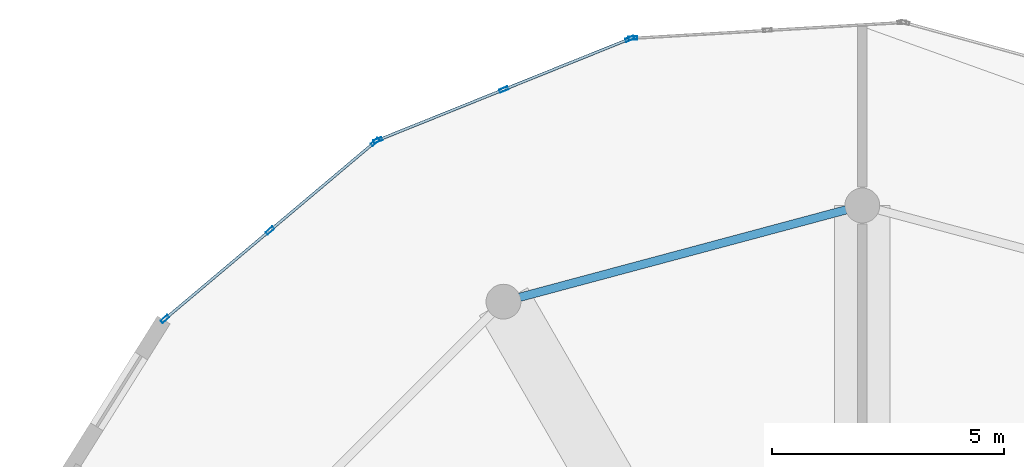
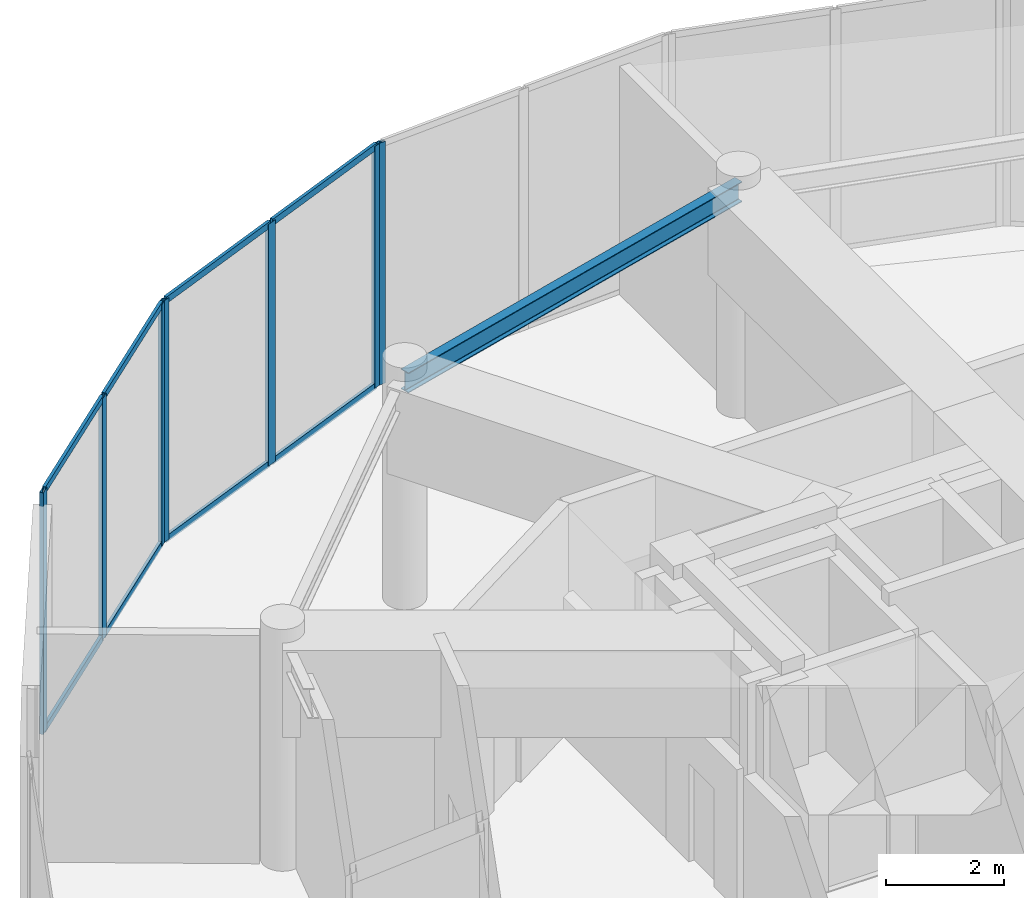
# One storey, part 14 of 20: 15 members, 1 beam, 3 elements without a shape of their own.
"""IFC4 building model written with IfcOpenShell, lengths in metres."""

from ifc_helpers import new_model, si_unit, direction, frame, origin, origin_2d, place, context, subcontext, project, spatial, hollow_rectangle, i_section, extrude, source, transform, mapped, material, layer, layer_set, material_profile, profile_set, type_object, element, aggregate, save


model = new_model("IFC4")

# Units and contexts
model_context = context("Model", 3, precision=1e-05, world=origin(), true_north=direction((0.0, 1.0)))
body_context = subcontext(model_context, "Body", "Model", "MODEL_VIEW")
ifc_project = project(units=[si_unit("LENGTHUNIT", "METRE"), si_unit("AREAUNIT", "SQUARE_METRE"), si_unit("VOLUMEUNIT", "CUBIC_METRE"), si_unit("PLANEANGLEUNIT", "RADIAN"), si_unit("MASSUNIT", "GRAM", prefix="KILO")], contexts=[model_context])

# Site, building, storey
site_placement = place(None, origin())
site = spatial("IfcSite", under=ifc_project, at=site_placement, CompositionType="ELEMENT")
building_placement = place(site_placement, origin())
building = spatial("IfcBuilding", under=site, at=building_placement, Name="Solvirekh Grand Hotel", CompositionType="ELEMENT")
storey_placement = place(building_placement, frame((0.0, 0.0, 297.199951171875)))
storey = spatial("IfcBuildingStorey", under=building, at=storey_placement, Name="L77", CompositionType="ELEMENT", Elevation=297.199951171875)

# Beam
ifc_material_1 = material(Name="Steel S355", Category="steel")
ifc_material_profile_1 = material_profile(ifc_material_1, i_section(OverallWidth=0.180908203125, OverallDepth=0.4169921875, WebThickness=0.010009765625, FlangeThickness=0.01611328125, FilletRadius=0.011962890625, at=origin_2d()), Name="W410X85")
ifc_profile_set_1 = profile_set([ifc_material_profile_1], Name="Steel S355")
beam_type = type_object("IfcBeamType", Name="Spandrel_Ring_W410", PredefinedType="SPANDREL", material=ifc_profile_set_1)
beam_placement = place(storey_placement, frame((0.0, 15.449951171875, 4.470947265625), z_axis=(-0.965921616143, -0.258834757072, 0.0), x_axis=(0.258834757072, -0.965921616143, 0.0)))
element("IfcBeam", 1, at=beam_placement, inside=storey, type_object=beam_type, Name="L77 perimeter spandrel beam 4", PredefinedType="SPANDREL", context=body_context, shape_type="SweptSolid", body=[
    extrude(i_section(OverallWidth=0.180908203125, OverallDepth=0.4169921875, WebThickness=0.010009765625, FlangeThickness=0.01611328125, FilletRadius=0.011962890625, at=origin_2d()), origin(), (0.0, 0.0, 1.0), 7.99755859375),
])

# Curtain wall, member
ifc_material_2 = material(Name="Anodized Bronze Aluminium 6063-T6", Category="aluminium")
ifc_layer = layer(ifc_material_2, 0.18994140625)
ifc_layer_set = layer_set([ifc_layer], Name="Anodized Bronze Aluminium 6063-T6")
curtain_wall_type = type_object("IfcCurtainWallType", Name="CW_Sys5_SkyLobbyPanoramaCW", PredefinedType="NOTDEFINED", material=ifc_layer_set)
curtain_wall_1_placement = place(storey_placement, origin())
curtain_wall_1 = element("IfcCurtainWall", 2, at=curtain_wall_1_placement, inside=storey, type_object=curtain_wall_type, Name="L77 unitised bronze-glass curtain wall CW-L77-C11", PredefinedType="NOTDEFINED")
ifc_material_profile_2 = material_profile(ifc_material_2, hollow_rectangle(XDim=0.070068359375, YDim=0.18994140625, WallThickness=0.0048828125, at=origin_2d()), Name="ALU RHS 190X70X5")
ifc_profile_set_2 = profile_set([ifc_material_profile_2], Name="Anodized Bronze Aluminium 6063-T6")
member_type_1 = type_object("IfcMemberType", Name="CWMullion_Sys5", PredefinedType="MULLION", material=ifc_profile_set_2)
shared_shape_1 = source(origin(), body_context, "Body", "SweptSolid", [
    extrude(hollow_rectangle(XDim=0.070068359375, YDim=0.18994140625, WallThickness=0.0048828125, at=origin_2d()), origin(), (0.0, 0.0, 1.0), 5.0),
])
member_1_placement = place(storey_placement, frame((-4.93896484375, 19.052001953125, 0.0), z_axis=(0.0, 0.0, 1.0), x_axis=(0.058412544796, -0.998292529578, 0.0)))
member_1 = element("IfcMember", 3, at=member_1_placement, type_object=member_type_1, Name="U05 mullion 3", PredefinedType="MULLION", context=body_context, shape_type="MappedRepresentation", body=[
    mapped(shared_shape_1, transform((0.0, 0.0, 0.0), x_axis=(1.0, 0.0, 0.0), y_axis=(0.0, 1.0, 0.0), z_axis=(0.0, 0.0, 1.0), scale=1.0)),
])
aggregate(curtain_wall_1, [member_1])

# Curtain wall, members
curtain_wall_2_placement = place(storey_placement, origin())
curtain_wall_2 = element("IfcCurtainWall", 4, at=curtain_wall_2_placement, inside=storey, type_object=curtain_wall_type, Name="L77 unitised bronze-glass curtain wall CW-L77-C12", PredefinedType="NOTDEFINED")
member_2_placement = place(storey_placement, frame((-5.00634765625, 19.036865234375, 0.0), z_axis=(0.0, 0.0, 1.0), x_axis=(0.373400752013, -0.927670134475, 0.0)))
member_2 = element("IfcMember", 5, at=member_2_placement, type_object=member_type_1, Name="U05 mullion 1", PredefinedType="MULLION", context=body_context, shape_type="MappedRepresentation", body=[
    mapped(shared_shape_1, transform((0.0, 0.0, 0.0), x_axis=(1.0, 0.0, 0.0), y_axis=(0.0, 1.0, 0.0), z_axis=(0.0, 0.0, 1.0), scale=1.0)),
])
member_3_placement = place(storey_placement, frame((-7.718017578125, 17.945556640625, 0.0), z_axis=(0.0, 0.0, 1.0), x_axis=(0.373400752013, -0.927670134475, 0.0)))
member_3 = element("IfcMember", 6, at=member_3_placement, type_object=member_type_1, Name="U05 mullion 2", PredefinedType="MULLION", context=body_context, shape_type="MappedRepresentation", body=[
    mapped(shared_shape_1, transform((0.0, 0.0, 0.0), x_axis=(1.0, 0.0, 0.0), y_axis=(0.0, 1.0, 0.0), z_axis=(0.0, 0.0, 1.0), scale=1.0)),
])
member_4_placement = place(storey_placement, frame((-10.429443359375, 16.85400390625, 0.0), z_axis=(0.0, 0.0, 1.0), x_axis=(0.373400752013, -0.927670134475, 0.0)))
member_4 = element("IfcMember", 7, at=member_4_placement, type_object=member_type_1, Name="U05 mullion 3", PredefinedType="MULLION", context=body_context, shape_type="MappedRepresentation", body=[
    mapped(shared_shape_1, transform((0.0, 0.0, 0.0), x_axis=(1.0, 0.0, 0.0), y_axis=(0.0, 1.0, 0.0), z_axis=(0.0, 0.0, 1.0), scale=1.0)),
])

curtain_wall_3_placement = place(storey_placement, origin())
curtain_wall_3 = element("IfcCurtainWall", 8, at=curtain_wall_3_placement, inside=storey, type_object=curtain_wall_type, Name="L77 unitised bronze-glass curtain wall CW-L77-C13", PredefinedType="NOTDEFINED")
member_5_placement = place(storey_placement, frame((-10.48876953125, 16.818359375, 0.0), z_axis=(0.0, 0.0, 1.0), x_axis=(0.644382723333, -0.764703148856, 0.0)))
member_5 = element("IfcMember", 9, at=member_5_placement, type_object=member_type_1, Name="U05 mullion 1", PredefinedType="MULLION", context=body_context, shape_type="MappedRepresentation", body=[
    mapped(shared_shape_1, transform((0.0, 0.0, 0.0), x_axis=(1.0, 0.0, 0.0), y_axis=(0.0, 1.0, 0.0), z_axis=(0.0, 0.0, 1.0), scale=1.0)),
])
member_6_placement = place(storey_placement, frame((-12.75, 14.9130859375, 0.0), z_axis=(0.0, 0.0, 1.0), x_axis=(0.644382723333, -0.764703148856, 0.0)))
member_6 = element("IfcMember", 10, at=member_6_placement, type_object=member_type_1, Name="U05 mullion 2", PredefinedType="MULLION", context=body_context, shape_type="MappedRepresentation", body=[
    mapped(shared_shape_1, transform((0.0, 0.0, 0.0), x_axis=(1.0, 0.0, 0.0), y_axis=(0.0, 1.0, 0.0), z_axis=(0.0, 0.0, 1.0), scale=1.0)),
])
member_7_placement = place(storey_placement, frame((-15.01123046875, 13.007568359375, 0.0), z_axis=(0.0, 0.0, 1.0), x_axis=(0.644382723333, -0.764703148856, 0.0)))
member_7 = element("IfcMember", 11, at=member_7_placement, type_object=member_type_1, Name="U05 mullion 3", PredefinedType="MULLION", context=body_context, shape_type="MappedRepresentation", body=[
    mapped(shared_shape_1, transform((0.0, 0.0, 0.0), x_axis=(1.0, 0.0, 0.0), y_axis=(0.0, 1.0, 0.0), z_axis=(0.0, 0.0, 1.0), scale=1.0)),
])

# Member
ifc_material_profile_3 = material_profile(ifc_material_2, hollow_rectangle(XDim=0.06005859375, YDim=0.135009765625, WallThickness=0.00390625, at=origin_2d()), Name="ALU RHS 135X60X4")
ifc_profile_set_3 = profile_set([ifc_material_profile_3], Name="Anodized Bronze Aluminium 6063-T6")
member_type_2 = type_object("IfcMemberType", Name="CWTransom_Sys5", PredefinedType="USERDEFINED", material=ifc_profile_set_3)
shared_shape_2 = source(origin(), body_context, "Body", "SweptSolid", [
    extrude(hollow_rectangle(XDim=0.06005859375, YDim=0.135009765625, WallThickness=0.00390625, at=origin_2d()), origin(), (0.0, 0.0, 1.0), 2.852783203125),
])
member_8_placement = place(storey_placement, frame((-7.75048828125, 17.932373046875, 0.030029296875), z_axis=(-0.927677782947, -0.373381749723, 0.0), x_axis=(0.373381749723, -0.927677782947, 0.0)))
member_8 = element("IfcMember", 12, at=member_8_placement, type_object=member_type_2, Name="U05 transom 2.1", ObjectType="TRANSOM", PredefinedType="USERDEFINED", context=body_context, shape_type="MappedRepresentation", body=[
    mapped(shared_shape_2, transform((0.0, 0.0, 0.0), x_axis=(1.0, 0.0, 0.0), y_axis=(0.0, 1.0, 0.0), z_axis=(0.0, 0.0, 1.0), scale=1.0)),
])

member_9_placement = place(storey_placement, frame((-7.75048828125, 17.932373046875, 4.969970703125), z_axis=(-0.927677782947, -0.373381749723, 0.0), x_axis=(0.373381749723, -0.927677782947, 0.0)))
member_9 = element("IfcMember", 13, at=member_9_placement, type_object=member_type_2, Name="U05 transom 2.2", ObjectType="TRANSOM", PredefinedType="USERDEFINED", context=body_context, shape_type="MappedRepresentation", body=[
    mapped(shared_shape_2, transform((0.0, 0.0, 0.0), x_axis=(1.0, 0.0, 0.0), y_axis=(0.0, 1.0, 0.0), z_axis=(0.0, 0.0, 1.0), scale=1.0)),
])

shared_shape_3 = source(origin(), body_context, "Body", "SweptSolid", [
    extrude(hollow_rectangle(XDim=0.06005859375, YDim=0.135009765625, WallThickness=0.00390625, at=origin_2d()), origin(), (0.0, 0.0, 1.0), 2.85302734375),
])
member_10_placement = place(storey_placement, frame((-5.038818359375, 19.02392578125, 0.030029296875), z_axis=(-0.927660072074, -0.373425749888, 0.0), x_axis=(0.373425749888, -0.927660072074, 0.0)))
member_10 = element("IfcMember", 14, at=member_10_placement, type_object=member_type_2, Name="U05 transom 1.1", ObjectType="TRANSOM", PredefinedType="USERDEFINED", context=body_context, shape_type="MappedRepresentation", body=[
    mapped(shared_shape_3, transform((0.0, 0.0, 0.0), x_axis=(1.0, 0.0, 0.0), y_axis=(0.0, 1.0, 0.0), z_axis=(0.0, 0.0, 1.0), scale=1.0)),
])

member_11_placement = place(storey_placement, frame((-5.038818359375, 19.02392578125, 4.969970703125), z_axis=(-0.927660072074, -0.373425749888, 0.0), x_axis=(0.373425749888, -0.927660072074, 0.0)))
member_11 = element("IfcMember", 15, at=member_11_placement, type_object=member_type_2, Name="U05 transom 1.2", ObjectType="TRANSOM", PredefinedType="USERDEFINED", context=body_context, shape_type="MappedRepresentation", body=[
    mapped(shared_shape_3, transform((0.0, 0.0, 0.0), x_axis=(1.0, 0.0, 0.0), y_axis=(0.0, 1.0, 0.0), z_axis=(0.0, 0.0, 1.0), scale=1.0)),
])

aggregate(curtain_wall_2, [member_2, member_3, member_4, member_10, member_11, member_8, member_9])

shared_shape_4 = source(origin(), body_context, "Body", "SweptSolid", [
    extrude(hollow_rectangle(XDim=0.06005859375, YDim=0.135009765625, WallThickness=0.00390625, at=origin_2d()), origin(), (0.0, 0.0, 1.0), 2.886962890625),
])
member_12_placement = place(storey_placement, frame((-10.515625, 16.7958984375, 0.030029296875), z_axis=(-0.764674297948, -0.644416959784, 0.0), x_axis=(0.644416959784, -0.764674297948, 0.0)))
member_12 = element("IfcMember", 16, at=member_12_placement, type_object=member_type_2, Name="U05 transom 1.1", ObjectType="TRANSOM", PredefinedType="USERDEFINED", context=body_context, shape_type="MappedRepresentation", body=[
    mapped(shared_shape_4, transform((0.0, 0.0, 0.0), x_axis=(1.0, 0.0, 0.0), y_axis=(0.0, 1.0, 0.0), z_axis=(0.0, 0.0, 1.0), scale=1.0)),
])

member_13_placement = place(storey_placement, frame((-10.515625, 16.7958984375, 4.969970703125), z_axis=(-0.764674297948, -0.644416959784, 0.0), x_axis=(0.644416959784, -0.764674297948, 0.0)))
member_13 = element("IfcMember", 17, at=member_13_placement, type_object=member_type_2, Name="U05 transom 1.2", ObjectType="TRANSOM", PredefinedType="USERDEFINED", context=body_context, shape_type="MappedRepresentation", body=[
    mapped(shared_shape_4, transform((0.0, 0.0, 0.0), x_axis=(1.0, 0.0, 0.0), y_axis=(0.0, 1.0, 0.0), z_axis=(0.0, 0.0, 1.0), scale=1.0)),
])

member_14_placement = place(storey_placement, frame((-12.77685546875, 14.890380859375, 0.030029296875), z_axis=(-0.764674297948, -0.644416959784, 0.0), x_axis=(0.644416959784, -0.764674297948, 0.0)))
member_14 = element("IfcMember", 18, at=member_14_placement, type_object=member_type_2, Name="U05 transom 2.1", ObjectType="TRANSOM", PredefinedType="USERDEFINED", context=body_context, shape_type="MappedRepresentation", body=[
    mapped(shared_shape_4, transform((0.0, 0.0, 0.0), x_axis=(1.0, 0.0, 0.0), y_axis=(0.0, 1.0, 0.0), z_axis=(0.0, 0.0, 1.0), scale=1.0)),
])

member_15_placement = place(storey_placement, frame((-12.77685546875, 14.890380859375, 4.969970703125), z_axis=(-0.764674297948, -0.644416959784, 0.0), x_axis=(0.644416959784, -0.764674297948, 0.0)))
member_15 = element("IfcMember", 19, at=member_15_placement, type_object=member_type_2, Name="U05 transom 2.2", ObjectType="TRANSOM", PredefinedType="USERDEFINED", context=body_context, shape_type="MappedRepresentation", body=[
    mapped(shared_shape_4, transform((0.0, 0.0, 0.0), x_axis=(1.0, 0.0, 0.0), y_axis=(0.0, 1.0, 0.0), z_axis=(0.0, 0.0, 1.0), scale=1.0)),
])

aggregate(curtain_wall_3, [member_5, member_6, member_7, member_12, member_13, member_14, member_15])

save(model, "model.ifc")
